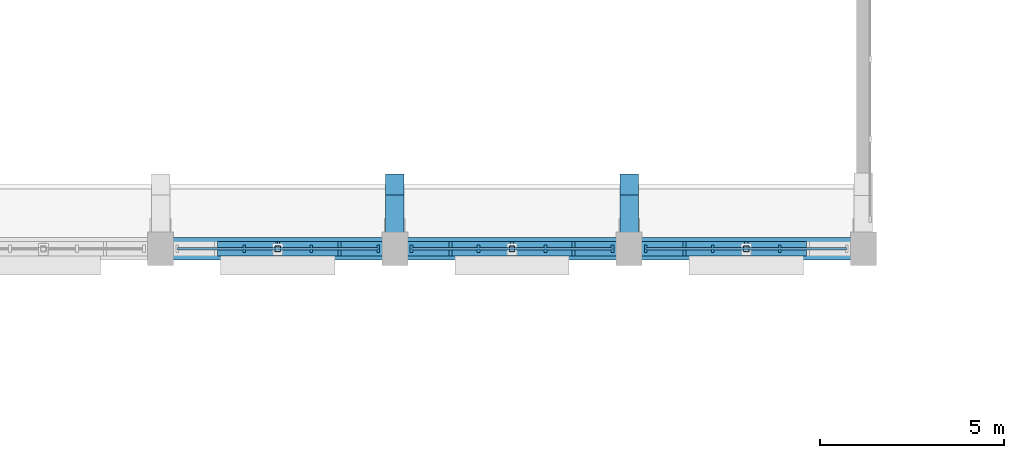
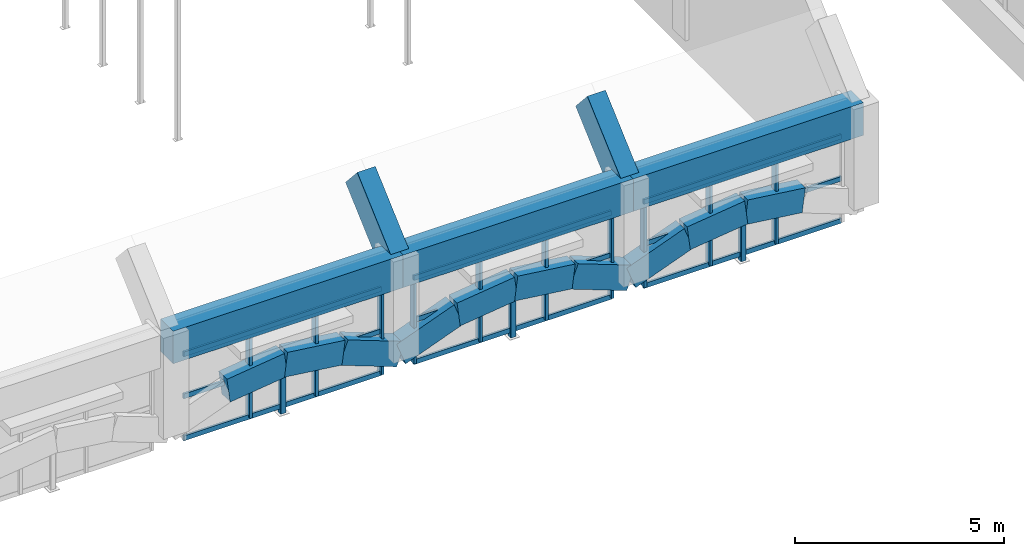
# One storey, part 27 of 77: 34 members, 3 beams, 3 elements without a shape of their own.
"""IFC4 building model written with IfcOpenShell, lengths in metres."""

from ifc_helpers import new_model, si_unit, direction, frame, origin, origin_2d, place, context, subcontext, project, spatial, rectangle, hollow_rectangle, extrude, material, layer, layer_set, material_profile, profile_set, type_object, element, aggregate, save


model = new_model("IFC4")

# Units and contexts
model_context = context("Model", 3, precision=1e-05, world=origin(), true_north=direction((0.0, 1.0)))
body_context = subcontext(model_context, "Body", "Model", "MODEL_VIEW")
ifc_project = project(units=[si_unit("LENGTHUNIT", "METRE"), si_unit("AREAUNIT", "SQUARE_METRE"), si_unit("VOLUMEUNIT", "CUBIC_METRE"), si_unit("PLANEANGLEUNIT", "RADIAN"), si_unit("MASSUNIT", "GRAM", prefix="KILO")], contexts=[model_context])

# Site, building, storey
site_placement = place(None, origin())
site = spatial("IfcSite", under=ifc_project, at=site_placement, CompositionType="ELEMENT")
building_placement = place(site_placement, origin())
building = spatial("IfcBuilding", under=site, at=building_placement, Name="Trellovar Central Fire Station", CompositionType="ELEMENT")
storey_placement = place(building_placement, frame((0.0, 0.0, 5.85009765625)))
storey = spatial("IfcBuildingStorey", under=building, at=storey_placement, Name="L02", CompositionType="ELEMENT", Elevation=5.85009765625)

# Beams
ifc_material_1 = material(Name="Concrete C40/50", Category="concrete")
ifc_material_profile_1 = material_profile(ifc_material_1, rectangle(XDim=0.60009765625, YDim=0.949951171875, at=origin_2d()), Name="RC600X950")
ifc_profile_set_1 = profile_set([ifc_material_profile_1], Name="Concrete C40/50")
beam_type = type_object("IfcBeamType", Name="BM-RG2", PredefinedType="BEAM", material=ifc_profile_set_1)
beam_1_placement = place(storey_placement, frame((79.449951171875, 14.0, 2.474853515625), z_axis=(1.0, 0.0, 0.0), x_axis=(0.0, 1.0, 0.0)))
element("IfcBeam", 1, at=beam_1_placement, inside=storey, type_object=beam_type, Name="V1 south vault springing ring beam", PredefinedType="BEAM", context=body_context, shape_type="SweptSolid", body=[
    extrude(rectangle(XDim=0.60009765625, YDim=0.949951171875, at=origin_2d()), origin(), (0.0, 0.0, 1.0), 6.35009765625),
])
beam_2_placement = place(storey_placement, frame((85.800048828125, 14.0, 2.474853515625), z_axis=(1.0, 0.0, 0.0), x_axis=(0.0, 1.0, 0.0)))
element("IfcBeam", 2, at=beam_2_placement, inside=storey, type_object=beam_type, Name="V1 south vault springing ring beam", PredefinedType="BEAM", context=body_context, shape_type="SweptSolid", body=[
    extrude(rectangle(XDim=0.60009765625, YDim=0.949951171875, at=origin_2d()), origin(), (0.0, 0.0, 1.0), 6.349853515625),
])
beam_3_placement = place(storey_placement, frame((92.14990234375, 14.0, 2.474853515625), z_axis=(1.0, 0.0, 0.0), x_axis=(0.0, 1.0, 0.0)))
element("IfcBeam", 3, at=beam_3_placement, inside=storey, type_object=beam_type, Name="V1 south vault springing ring beam", PredefinedType="BEAM", context=body_context, shape_type="SweptSolid", body=[
    extrude(rectangle(XDim=0.60009765625, YDim=0.949951171875, at=origin_2d()), origin(), (0.0, 0.0, 1.0), 6.35009765625),
])

# Curtain wall, members
ifc_material_2 = material(Name="Thermally broken bronze anodized aluminum", Category="aluminium")
ifc_layer = layer(ifc_material_2, 0.159912109375)
ifc_layer_set = layer_set([ifc_layer], Name="Thermally broken bronze anodized aluminum")
curtain_wall_type = type_object("IfcCurtainWallType", Name="CW-05", PredefinedType="NOTDEFINED", material=ifc_layer_set)
curtain_wall_1_placement = place(storey_placement, origin())
curtain_wall_1 = element("IfcCurtainWall", 4, at=curtain_wall_1_placement, inside=storey, type_object=curtain_wall_type, Name="V1 south upper clerestory 8", PredefinedType="NOTDEFINED")
ifc_material_3 = material(Name="Thermally broken bronze anodized aluminum", Category="aluminium")
ifc_material_profile_2 = material_profile(ifc_material_3, rectangle(XDim=0.074951171875, YDim=0.199951171875, at=origin_2d()), Name="ALU75X200")
ifc_profile_set_2 = profile_set([ifc_material_profile_2], Name="Thermally broken bronze anodized aluminum")
member_type_1 = type_object("IfcMemberType", Name="CWM-1", PredefinedType="MULLION", material=ifc_profile_set_2)
member_1_placement = place(storey_placement, frame((81.716796875, 14.0, -0.5), z_axis=(0.0, 0.0, 1.0), x_axis=(1.0, 0.0, 0.0)))
member_1 = element("IfcMember", 5, at=member_1_placement, type_object=member_type_1, Name="CW3-L02-0008 mullion 2", PredefinedType="MULLION", context=body_context, shape_type="SweptSolid", body=[
    extrude(rectangle(XDim=0.074951171875, YDim=0.199951171875, at=origin_2d()), origin(), (0.0, 0.0, 1.0), 2.449951171875),
])
member_2_placement = place(storey_placement, frame((83.533203125, 14.0, -0.5), z_axis=(0.0, 0.0, 1.0), x_axis=(1.0, 0.0, 0.0)))
member_2 = element("IfcMember", 6, at=member_2_placement, type_object=member_type_1, Name="CW3-L02-0008 mullion 3", PredefinedType="MULLION", context=body_context, shape_type="SweptSolid", body=[
    extrude(rectangle(XDim=0.074951171875, YDim=0.199951171875, at=origin_2d()), origin(), (0.0, 0.0, 1.0), 2.449951171875),
])
member_3_placement = place(storey_placement, frame((85.35009765625, 14.0, -0.5), z_axis=(0.0, 0.0, 1.0), x_axis=(1.0, 0.0, 0.0)))
member_3 = element("IfcMember", 7, at=member_3_placement, type_object=member_type_1, Name="CW3-L02-0008 mullion 4", PredefinedType="MULLION", context=body_context, shape_type="SweptSolid", body=[
    extrude(rectangle(XDim=0.074951171875, YDim=0.199951171875, at=origin_2d()), origin(), (0.0, 0.0, 1.0), 2.449951171875),
])

curtain_wall_2_placement = place(storey_placement, origin())
curtain_wall_2 = element("IfcCurtainWall", 8, at=curtain_wall_2_placement, inside=storey, type_object=curtain_wall_type, Name="V1 south upper clerestory 9", PredefinedType="NOTDEFINED")
member_4_placement = place(storey_placement, frame((86.25, 14.0, -0.5), z_axis=(0.0, 0.0, 1.0), x_axis=(1.0, 0.0, 0.0)))
member_4 = element("IfcMember", 9, at=member_4_placement, type_object=member_type_1, Name="CW3-L02-0009 mullion 1", PredefinedType="MULLION", context=body_context, shape_type="SweptSolid", body=[
    extrude(rectangle(XDim=0.074951171875, YDim=0.199951171875, at=origin_2d()), origin(), (0.0, 0.0, 1.0), 2.449951171875),
])
member_5_placement = place(storey_placement, frame((88.066650390625, 14.0, -0.5), z_axis=(0.0, 0.0, 1.0), x_axis=(1.0, 0.0, 0.0)))
member_5 = element("IfcMember", 10, at=member_5_placement, type_object=member_type_1, Name="CW3-L02-0009 mullion 2", PredefinedType="MULLION", context=body_context, shape_type="SweptSolid", body=[
    extrude(rectangle(XDim=0.074951171875, YDim=0.199951171875, at=origin_2d()), origin(), (0.0, 0.0, 1.0), 2.449951171875),
])
member_6_placement = place(storey_placement, frame((89.88330078125, 14.0, -0.5), z_axis=(0.0, 0.0, 1.0), x_axis=(1.0, 0.0, 0.0)))
member_6 = element("IfcMember", 11, at=member_6_placement, type_object=member_type_1, Name="CW3-L02-0009 mullion 3", PredefinedType="MULLION", context=body_context, shape_type="SweptSolid", body=[
    extrude(rectangle(XDim=0.074951171875, YDim=0.199951171875, at=origin_2d()), origin(), (0.0, 0.0, 1.0), 2.449951171875),
])
member_7_placement = place(storey_placement, frame((91.699951171875, 14.0, -0.5), z_axis=(0.0, 0.0, 1.0), x_axis=(1.0, 0.0, 0.0)))
member_7 = element("IfcMember", 12, at=member_7_placement, type_object=member_type_1, Name="CW3-L02-0009 mullion 4", PredefinedType="MULLION", context=body_context, shape_type="SweptSolid", body=[
    extrude(rectangle(XDim=0.074951171875, YDim=0.199951171875, at=origin_2d()), origin(), (0.0, 0.0, 1.0), 2.449951171875),
])

curtain_wall_3_placement = place(storey_placement, origin())
curtain_wall_3 = element("IfcCurtainWall", 13, at=curtain_wall_3_placement, inside=storey, type_object=curtain_wall_type, Name="V1 south upper clerestory 10", PredefinedType="NOTDEFINED")
member_8_placement = place(storey_placement, frame((92.60009765625, 14.0, -0.5), z_axis=(0.0, 0.0, 1.0), x_axis=(1.0, 0.0, 0.0)))
member_8 = element("IfcMember", 14, at=member_8_placement, type_object=member_type_1, Name="CW3-L02-0010 mullion 1", PredefinedType="MULLION", context=body_context, shape_type="SweptSolid", body=[
    extrude(rectangle(XDim=0.074951171875, YDim=0.199951171875, at=origin_2d()), origin(), (0.0, 0.0, 1.0), 2.449951171875),
])
member_9_placement = place(storey_placement, frame((94.416748046875, 14.0, -0.5), z_axis=(0.0, 0.0, 1.0), x_axis=(1.0, 0.0, 0.0)))
member_9 = element("IfcMember", 15, at=member_9_placement, type_object=member_type_1, Name="CW3-L02-0010 mullion 2", PredefinedType="MULLION", context=body_context, shape_type="SweptSolid", body=[
    extrude(rectangle(XDim=0.074951171875, YDim=0.199951171875, at=origin_2d()), origin(), (0.0, 0.0, 1.0), 2.449951171875),
])
member_10_placement = place(storey_placement, frame((96.2333984375, 14.0, -0.5), z_axis=(0.0, 0.0, 1.0), x_axis=(1.0, 0.0, 0.0)))
member_10 = element("IfcMember", 16, at=member_10_placement, type_object=member_type_1, Name="CW3-L02-0010 mullion 3", PredefinedType="MULLION", context=body_context, shape_type="SweptSolid", body=[
    extrude(rectangle(XDim=0.074951171875, YDim=0.199951171875, at=origin_2d()), origin(), (0.0, 0.0, 1.0), 2.449951171875),
])

# Member
ifc_material_4 = material(Name="Thermally broken bronze anodized aluminum", Category="aluminium")
ifc_material_profile_3 = material_profile(ifc_material_4, rectangle(XDim=0.06005859375, YDim=0.139892578125, at=origin_2d()), Name="ALU60X140")
ifc_profile_set_3 = profile_set([ifc_material_profile_3], Name="Thermally broken bronze anodized aluminum")
member_type_2 = type_object("IfcMemberType", Name="CWT-1", PredefinedType="USERDEFINED", material=ifc_profile_set_3)
member_11_placement = place(storey_placement, frame((79.89990234375, 14.0, -0.5), z_axis=(1.0, 0.0, 0.0), x_axis=(0.0, 1.0, 0.0)))
member_11 = element("IfcMember", 17, at=member_11_placement, type_object=member_type_2, Name="CW3-L02-0008 transom 1", ObjectType="TRANSOM", PredefinedType="USERDEFINED", context=body_context, shape_type="SweptSolid", body=[
    extrude(rectangle(XDim=0.06005859375, YDim=0.139892578125, at=origin_2d()), origin(), (0.0, 0.0, 1.0), 5.4501953125),
])

member_12_placement = place(storey_placement, frame((79.89990234375, 14.0, 0.724853515625), z_axis=(1.0, 0.0, 0.0), x_axis=(0.0, 1.0, 0.0)))
member_12 = element("IfcMember", 18, at=member_12_placement, type_object=member_type_2, Name="CW3-L02-0008 transom 2", ObjectType="TRANSOM", PredefinedType="USERDEFINED", context=body_context, shape_type="SweptSolid", body=[
    extrude(rectangle(XDim=0.06005859375, YDim=0.139892578125, at=origin_2d()), origin(), (0.0, 0.0, 1.0), 5.4501953125),
])

member_13_placement = place(storey_placement, frame((79.89990234375, 14.0, 1.949951171875), z_axis=(1.0, 0.0, 0.0), x_axis=(0.0, 1.0, 0.0)))
member_13 = element("IfcMember", 19, at=member_13_placement, type_object=member_type_2, Name="CW3-L02-0008 transom 3", ObjectType="TRANSOM", PredefinedType="USERDEFINED", context=body_context, shape_type="SweptSolid", body=[
    extrude(rectangle(XDim=0.06005859375, YDim=0.139892578125, at=origin_2d()), origin(), (0.0, 0.0, 1.0), 5.4501953125),
])

aggregate(curtain_wall_1, [member_1, member_2, member_3, member_11, member_12, member_13])

member_14_placement = place(storey_placement, frame((86.25, 14.0, -0.5), z_axis=(1.0, 0.0, 0.0), x_axis=(0.0, 1.0, 0.0)))
member_14 = element("IfcMember", 20, at=member_14_placement, type_object=member_type_2, Name="CW3-L02-0009 transom 1", ObjectType="TRANSOM", PredefinedType="USERDEFINED", context=body_context, shape_type="SweptSolid", body=[
    extrude(rectangle(XDim=0.06005859375, YDim=0.139892578125, at=origin_2d()), origin(), (0.0, 0.0, 1.0), 5.449951171875),
])

member_15_placement = place(storey_placement, frame((86.25, 14.0, 0.724853515625), z_axis=(1.0, 0.0, 0.0), x_axis=(0.0, 1.0, 0.0)))
member_15 = element("IfcMember", 21, at=member_15_placement, type_object=member_type_2, Name="CW3-L02-0009 transom 2", ObjectType="TRANSOM", PredefinedType="USERDEFINED", context=body_context, shape_type="SweptSolid", body=[
    extrude(rectangle(XDim=0.06005859375, YDim=0.139892578125, at=origin_2d()), origin(), (0.0, 0.0, 1.0), 5.449951171875),
])

member_16_placement = place(storey_placement, frame((86.25, 14.0, 1.949951171875), z_axis=(1.0, 0.0, 0.0), x_axis=(0.0, 1.0, 0.0)))
member_16 = element("IfcMember", 22, at=member_16_placement, type_object=member_type_2, Name="CW3-L02-0009 transom 3", ObjectType="TRANSOM", PredefinedType="USERDEFINED", context=body_context, shape_type="SweptSolid", body=[
    extrude(rectangle(XDim=0.06005859375, YDim=0.139892578125, at=origin_2d()), origin(), (0.0, 0.0, 1.0), 5.449951171875),
])

aggregate(curtain_wall_2, [member_4, member_5, member_6, member_7, member_14, member_15, member_16])

member_17_placement = place(storey_placement, frame((92.60009765625, 14.0, -0.5), z_axis=(1.0, 0.0, 0.0), x_axis=(0.0, 1.0, 0.0)))
member_17 = element("IfcMember", 23, at=member_17_placement, type_object=member_type_2, Name="CW3-L02-0010 transom 1", ObjectType="TRANSOM", PredefinedType="USERDEFINED", context=body_context, shape_type="SweptSolid", body=[
    extrude(rectangle(XDim=0.06005859375, YDim=0.139892578125, at=origin_2d()), origin(), (0.0, 0.0, 1.0), 5.449951171875),
])

member_18_placement = place(storey_placement, frame((92.60009765625, 14.0, 0.724853515625), z_axis=(1.0, 0.0, 0.0), x_axis=(0.0, 1.0, 0.0)))
member_18 = element("IfcMember", 24, at=member_18_placement, type_object=member_type_2, Name="CW3-L02-0010 transom 2", ObjectType="TRANSOM", PredefinedType="USERDEFINED", context=body_context, shape_type="SweptSolid", body=[
    extrude(rectangle(XDim=0.06005859375, YDim=0.139892578125, at=origin_2d()), origin(), (0.0, 0.0, 1.0), 5.449951171875),
])

member_19_placement = place(storey_placement, frame((92.60009765625, 14.0, 1.949951171875), z_axis=(1.0, 0.0, 0.0), x_axis=(0.0, 1.0, 0.0)))
member_19 = element("IfcMember", 25, at=member_19_placement, type_object=member_type_2, Name="CW3-L02-0010 transom 3", ObjectType="TRANSOM", PredefinedType="USERDEFINED", context=body_context, shape_type="SweptSolid", body=[
    extrude(rectangle(XDim=0.06005859375, YDim=0.139892578125, at=origin_2d()), origin(), (0.0, 0.0, 1.0), 5.449951171875),
])

aggregate(curtain_wall_3, [member_8, member_9, member_10, member_17, member_18, member_19])

# Members
ifc_material_5 = material(Name="Concrete C40/50", Category="concrete")
ifc_material_profile_4 = material_profile(ifc_material_5, rectangle(XDim=0.5, YDim=0.85009765625, at=origin_2d()), Name="RC500X850")
ifc_profile_set_4 = profile_set([ifc_material_profile_4], Name="Concrete C40/50")
member_type_3 = type_object("IfcMemberType", Name="MEM-AR2", PredefinedType="CHORD", material=ifc_profile_set_4)
for number, where, z_axis, x_axis, name in (
    (26, (85.800048828125, 14.0, 2.5), (0.0, 0.744410696022, 0.667722034718), (-1.0, 0.0, 0.0), "Parabolic arch rib AR-09 chord 01"),
    (27, (92.14990234375, 14.0, 2.5), (0.0, 0.744410696022, 0.667722034718), (-1.0, 0.0, 0.0), "Parabolic arch rib AR-10 chord 01"),
):
    element("IfcMember", number, at=place(storey_placement, frame(where, z_axis=z_axis, x_axis=x_axis)), inside=storey, type_object=member_type_3, Name=name, PredefinedType="CHORD", context=body_context, shape_type="SweptSolid", body=[
        extrude(rectangle(XDim=0.5, YDim=0.85009765625, at=origin_2d()), origin(), (0.0, 0.0, 1.0), 2.34619140625),
    ])
ifc_material_6 = material(Name="Concrete C40/50", Category="concrete")
ifc_material_profile_5 = material_profile(ifc_material_6, rectangle(XDim=0.39990234375, YDim=0.699951171875, at=origin_2d()), Name="RC400X700")
ifc_profile_set_5 = profile_set([ifc_material_profile_5], Name="Concrete C40/50")
member_type_4 = type_object("IfcMemberType", Name="MEM-LR1", PredefinedType="CHORD", material=ifc_profile_set_5)
for number, where, z_axis, x_axis, name in (
    (28, (81.03759765625, 14.0, 0.599853515625), (0.992160053116, 0.0, 0.124973713242), (0.0, 1.0, 0.0), "V1 south bay 8 parabolic portal arch seg 2"),
    (29, (82.625, 14.0, 0.7998046875), (0.992160053116, 0.0, -0.124973713242), (0.0, 1.0, 0.0), "V1 south bay 8 parabolic portal arch seg 3"),
):
    element("IfcMember", number, at=place(storey_placement, frame(where, z_axis=z_axis, x_axis=x_axis)), inside=storey, type_object=member_type_4, Name=name, PredefinedType="CHORD", context=body_context, shape_type="SweptSolid", body=[
        extrude(rectangle(XDim=0.39990234375, YDim=0.699951171875, at=origin_2d()), origin(), (0.0, 0.0, 1.0), 1.599853515625),
    ])
member_20_placement = place(storey_placement, frame((84.21240234375, 14.0, 0.599853515625), z_axis=(0.935457297546, 0.0, -0.353439732442), x_axis=(0.0, 1.0, 0.0)))
element("IfcMember", 30, at=member_20_placement, inside=storey, type_object=member_type_4, Name="V1 south bay 8 parabolic portal arch seg 4", PredefinedType="CHORD", context=body_context, shape_type="SweptSolid", body=[
    extrude(rectangle(XDim=0.39990234375, YDim=0.699951171875, at=origin_2d()), origin(), (0.0, 0.0, 1.0), 1.697265625),
])
member_21_placement = place(storey_placement, frame((85.800048828125, 14.0, 0.0), z_axis=(0.935439324213, 0.0, 0.35348729923), x_axis=(0.0, 1.0, 0.0)))
element("IfcMember", 31, at=member_21_placement, inside=storey, type_object=member_type_4, Name="V1 south bay 9 parabolic portal arch seg 1", PredefinedType="CHORD", context=body_context, shape_type="SweptSolid", body=[
    extrude(rectangle(XDim=0.39990234375, YDim=0.699951171875, at=origin_2d()), origin(), (0.0, 0.0, 1.0), 1.697021484375),
])
member_22_placement = place(storey_placement, frame((87.387451171875, 14.0, 0.599853515625), z_axis=(0.992162435838, 0.0, 0.124954795472), x_axis=(0.0, 1.0, 0.0)))
element("IfcMember", 32, at=member_22_placement, inside=storey, type_object=member_type_4, Name="V1 south bay 9 parabolic portal arch seg 2", PredefinedType="CHORD", context=body_context, shape_type="SweptSolid", body=[
    extrude(rectangle(XDim=0.39990234375, YDim=0.699951171875, at=origin_2d()), origin(), (0.0, 0.0, 1.0), 1.60009765625),
])
member_23_placement = place(storey_placement, frame((88.97509765625, 14.0, 0.7998046875), z_axis=(0.992160053116, 0.0, -0.124973713242), x_axis=(0.0, 1.0, 0.0)))
element("IfcMember", 33, at=member_23_placement, inside=storey, type_object=member_type_4, Name="V1 south bay 9 parabolic portal arch seg 3", PredefinedType="CHORD", context=body_context, shape_type="SweptSolid", body=[
    extrude(rectangle(XDim=0.39990234375, YDim=0.699951171875, at=origin_2d()), origin(), (0.0, 0.0, 1.0), 1.599853515625),
])
member_24_placement = place(storey_placement, frame((90.5625, 14.0, 0.599853515625), z_axis=(0.935439324213, 0.0, -0.35348729923), x_axis=(0.0, 1.0, 0.0)))
element("IfcMember", 34, at=member_24_placement, inside=storey, type_object=member_type_4, Name="V1 south bay 9 parabolic portal arch seg 4", PredefinedType="CHORD", context=body_context, shape_type="SweptSolid", body=[
    extrude(rectangle(XDim=0.39990234375, YDim=0.699951171875, at=origin_2d()), origin(), (0.0, 0.0, 1.0), 1.697021484375),
])
member_25_placement = place(storey_placement, frame((92.14990234375, 14.0, 0.0), z_axis=(0.935457297546, 0.0, 0.353439732442), x_axis=(0.0, 1.0, 0.0)))
element("IfcMember", 35, at=member_25_placement, inside=storey, type_object=member_type_4, Name="V1 south bay 10 parabolic portal arch seg 1", PredefinedType="CHORD", context=body_context, shape_type="SweptSolid", body=[
    extrude(rectangle(XDim=0.39990234375, YDim=0.699951171875, at=origin_2d()), origin(), (0.0, 0.0, 1.0), 1.697265625),
])
member_26_placement = place(storey_placement, frame((93.737548828125, 14.0, 0.599853515625), z_axis=(0.992160053116, 0.0, 0.124973713242), x_axis=(0.0, 1.0, 0.0)))
element("IfcMember", 36, at=member_26_placement, inside=storey, type_object=member_type_4, Name="V1 south bay 10 parabolic portal arch seg 2", PredefinedType="CHORD", context=body_context, shape_type="SweptSolid", body=[
    extrude(rectangle(XDim=0.39990234375, YDim=0.699951171875, at=origin_2d()), origin(), (0.0, 0.0, 1.0), 1.599853515625),
])
member_27_placement = place(storey_placement, frame((95.324951171875, 14.0, 0.7998046875), z_axis=(0.992162435838, 0.0, -0.124954795472), x_axis=(0.0, 1.0, 0.0)))
element("IfcMember", 37, at=member_27_placement, inside=storey, type_object=member_type_4, Name="V1 south bay 10 parabolic portal arch seg 3", PredefinedType="CHORD", context=body_context, shape_type="SweptSolid", body=[
    extrude(rectangle(XDim=0.39990234375, YDim=0.699951171875, at=origin_2d()), origin(), (0.0, 0.0, 1.0), 1.60009765625),
])
ifc_material_7 = material(Name="Steel ASTM A500 Grade C", Category="steel")
ifc_material_profile_6 = material_profile(ifc_material_7, hollow_rectangle(XDim=0.15234375, YDim=0.15234375, WallThickness=0.0087890625, InnerFilletRadius=0.0087890625, OuterFilletRadius=0.017822265625, at=origin_2d()), Name="HSS6X6X3/8")
ifc_profile_set_6 = profile_set([ifc_material_profile_6], Name="Steel ASTM A500 Grade C")
member_type_5 = type_object("IfcMemberType", Name="MEM-ST1", PredefinedType="STRUT", material=ifc_profile_set_6)
for number, where, z_axis, x_axis, name in (
    (38, (82.625, 14.0, -0.7001953125), (0.0, 0.0, 1.0), (1.0, 0.0, 0.0), "V1 south bay 8 parabolic portal arch keystone post"),
    (39, (88.97509765625, 14.0, -0.7001953125), (0.0, 0.0, 1.0), (1.0, 0.0, 0.0), "V1 south bay 9 parabolic portal arch keystone post"),
    (40, (95.324951171875, 14.0, -0.7001953125), (0.0, 0.0, 1.0), (1.0, 0.0, 0.0), "V1 south bay 10 parabolic portal arch keystone post"),
):
    element("IfcMember", number, at=place(storey_placement, frame(where, z_axis=z_axis, x_axis=x_axis)), inside=storey, type_object=member_type_5, Name=name, PredefinedType="STRUT", context=body_context, shape_type="SweptSolid", body=[
        extrude(hollow_rectangle(XDim=0.15234375, YDim=0.15234375, WallThickness=0.0087890625, InnerFilletRadius=0.0087890625, OuterFilletRadius=0.017822265625, at=origin_2d()), origin(), (0.0, 0.0, 1.0), 1.5),
    ])

save(model, "model.ifc")
